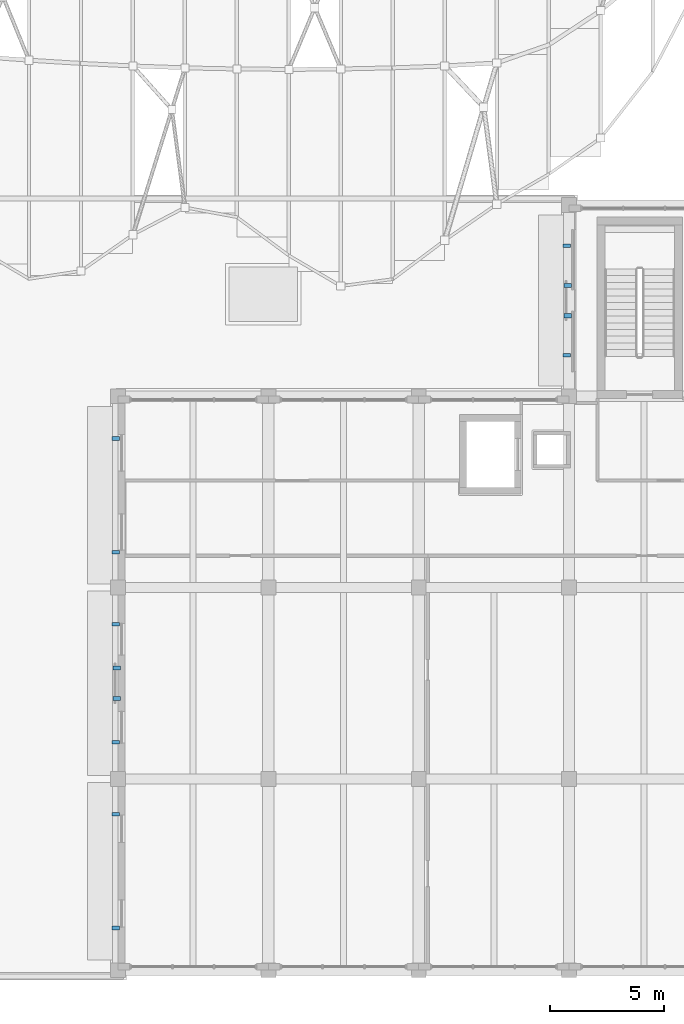
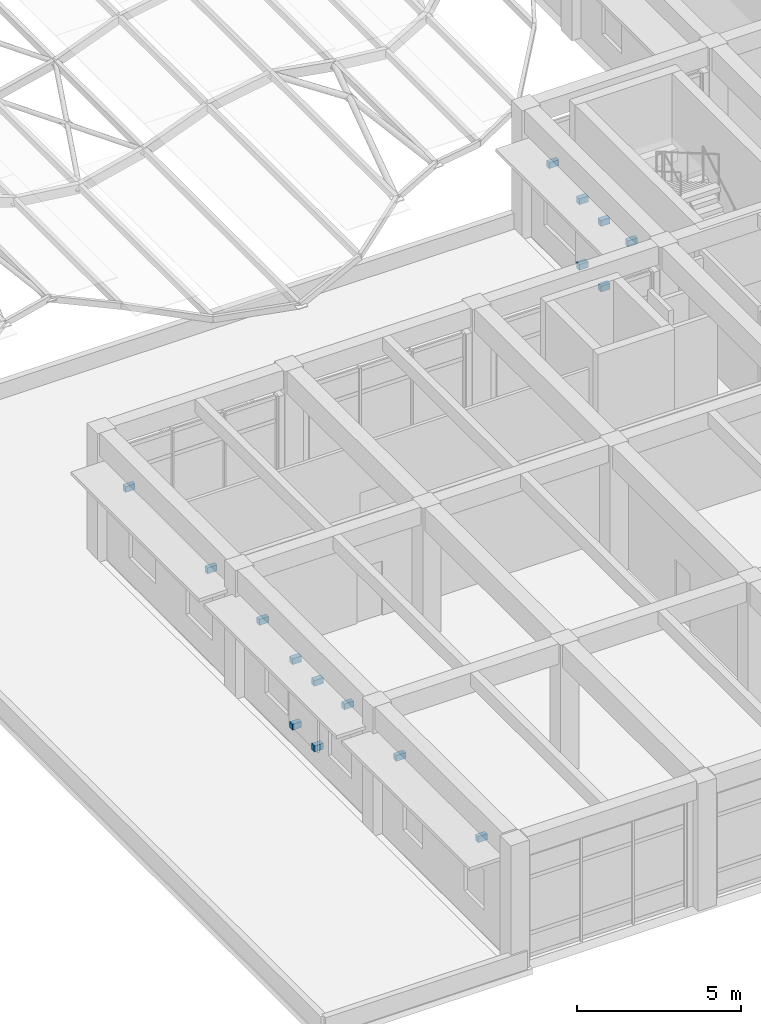
# One storey, part 64 of 79: 16 discrete accessories.
"""IFC4 building model written with IfcOpenShell, lengths in metres."""

from ifc_helpers import new_model, si_unit, direction, frame, origin, origin_2d, place, context, subcontext, project, spatial, rectangle, extrude, material, type_object, element, save


model = new_model("IFC4")

# Units and contexts
model_context = context("Model", 3, precision=1e-05, world=origin(), true_north=direction((0.0, 1.0)))
body_context = subcontext(model_context, "Body", "Model", "MODEL_VIEW")
ifc_project = project(units=[si_unit("LENGTHUNIT", "METRE"), si_unit("AREAUNIT", "SQUARE_METRE"), si_unit("VOLUMEUNIT", "CUBIC_METRE"), si_unit("PLANEANGLEUNIT", "RADIAN"), si_unit("MASSUNIT", "GRAM", prefix="KILO")], contexts=[model_context])

# Site, building, storey
site_placement = place(None, origin())
site = spatial("IfcSite", under=ifc_project, at=site_placement, CompositionType="ELEMENT")
building_placement = place(site_placement, origin())
building = spatial("IfcBuilding", under=site, at=building_placement, Name="Kolvaren Faculty of Natural Sciences", CompositionType="ELEMENT")
storey_placement = place(building_placement, frame((0.0, 0.0, 10.199951171875)))
storey = spatial("IfcBuildingStorey", under=building, at=storey_placement, Name="L02", CompositionType="ELEMENT", Elevation=10.199951171875)

# Discrete accessories
ifc_material = material(Name="Structural steel EN 10025-2 S355J2", Category="steel")
discrete_accessory_type = type_object("IfcDiscreteAccessoryType", Name="FacadeSupportBracket_260", PredefinedType="BRACKET", material=ifc_material)
for number, where, z_axis, x_axis, name in (
    (1, (125.5, 35.60009765625, 3.56494140625), (0.0, 0.0, 1.0), (0.0, 1.0, 0.0), "L02 chhajja hood steel bracket"),
    (2, (125.5, 40.39990234375, 3.56494140625), (0.0, 0.0, 1.0), (0.0, 1.0, 0.0), "L02 chhajja hood steel bracket"),
):
    element("IfcDiscreteAccessory", number, at=place(storey_placement, frame(where, z_axis=z_axis, x_axis=x_axis)), inside=storey, type_object=discrete_accessory_type, Name=name, PredefinedType="BRACKET", context=body_context, shape_type="SweptSolid", body=[
        extrude(rectangle(XDim=0.159912109375, YDim=0.340087890625, at=origin_2d()), origin(), (0.0, 0.0, 1.0), 0.219970703125),
    ])
for number, where, z_axis, x_axis, name in (
    (3, (125.5400390625, 37.3349609375, 0.81982421875), (0.0, 0.0, 1.0), (0.0, 1.0, 0.0), "L02 jali screen wall bracket"),
    (4, (125.5400390625, 38.6650390625, 0.81982421875), (0.0, 0.0, 1.0), (0.0, 1.0, 0.0), "L02 jali screen wall bracket"),
    (5, (125.5400390625, 37.3349609375, 3.26025390625), (0.0, 0.0, 1.0), (0.0, 1.0, 0.0), "L02 jali screen wall bracket"),
    (6, (125.5400390625, 38.6650390625, 3.26025390625), (0.0, 0.0, 1.0), (0.0, 1.0, 0.0), "L02 jali screen wall bracket"),
):
    element("IfcDiscreteAccessory", number, at=place(storey_placement, frame(where, z_axis=z_axis, x_axis=x_axis)), inside=storey, type_object=discrete_accessory_type, Name=name, PredefinedType="BRACKET", context=body_context, shape_type="SweptSolid", body=[
        extrude(rectangle(XDim=0.179931640625, YDim=0.320068359375, at=origin_2d()), origin(), (0.0, 0.0, 1.0), 0.219970703125),
    ])
for number, where, z_axis, x_axis, name in (
    (7, (105.699951171875, 10.4541015625, 3.56494140625), (0.0, 0.0, 1.0), (0.0, 1.0, 0.0), "L02 chhajja hood steel bracket"),
    (8, (105.699951171875, 15.446044921875, 3.56494140625), (0.0, 0.0, 1.0), (0.0, 1.0, 0.0), "L02 chhajja hood steel bracket"),
    (9, (105.699951171875, 18.60791015625, 3.56494140625), (0.0, 0.0, 1.0), (0.0, 1.0, 0.0), "L02 chhajja hood steel bracket"),
    (10, (105.699951171875, 23.7919921875, 3.56494140625), (0.0, 0.0, 1.0), (0.0, 1.0, 0.0), "L02 chhajja hood steel bracket"),
):
    element("IfcDiscreteAccessory", number, at=place(storey_placement, frame(where, z_axis=z_axis, x_axis=x_axis)), inside=storey, type_object=discrete_accessory_type, Name=name, PredefinedType="BRACKET", context=body_context, shape_type="SweptSolid", body=[
        extrude(rectangle(XDim=0.159912109375, YDim=0.340087890625, at=origin_2d()), origin(), (0.0, 0.0, 1.0), 0.219970703125),
    ])
for number, where, z_axis, x_axis, name in (
    (11, (105.739990234375, 20.534912109375, 0.81982421875), (0.0, 0.0, 1.0), (0.0, 1.0, 0.0), "L02 jali screen wall bracket"),
    (12, (105.739990234375, 21.864990234375, 0.81982421875), (0.0, 0.0, 1.0), (0.0, 1.0, 0.0), "L02 jali screen wall bracket"),
    (13, (105.739990234375, 20.534912109375, 3.26025390625), (0.0, 0.0, 1.0), (0.0, 1.0, 0.0), "L02 jali screen wall bracket"),
    (14, (105.739990234375, 21.864990234375, 3.26025390625), (0.0, 0.0, 1.0), (0.0, 1.0, 0.0), "L02 jali screen wall bracket"),
):
    element("IfcDiscreteAccessory", number, at=place(storey_placement, frame(where, z_axis=z_axis, x_axis=x_axis)), inside=storey, type_object=discrete_accessory_type, Name=name, PredefinedType="BRACKET", context=body_context, shape_type="SweptSolid", body=[
        extrude(rectangle(XDim=0.179931640625, YDim=0.320068359375, at=origin_2d()), origin(), (0.0, 0.0, 1.0), 0.219970703125),
    ])
for number, where, z_axis, x_axis, name in (
    (15, (105.699951171875, 26.9541015625, 3.56494140625), (0.0, 0.0, 1.0), (0.0, 1.0, 0.0), "L02 chhajja hood steel bracket"),
    (16, (105.699951171875, 31.946044921875, 3.56494140625), (0.0, 0.0, 1.0), (0.0, 1.0, 0.0), "L02 chhajja hood steel bracket"),
):
    element("IfcDiscreteAccessory", number, at=place(storey_placement, frame(where, z_axis=z_axis, x_axis=x_axis)), inside=storey, type_object=discrete_accessory_type, Name=name, PredefinedType="BRACKET", context=body_context, shape_type="SweptSolid", body=[
        extrude(rectangle(XDim=0.159912109375, YDim=0.340087890625, at=origin_2d()), origin(), (0.0, 0.0, 1.0), 0.219970703125),
    ])

save(model, "model.ifc")
